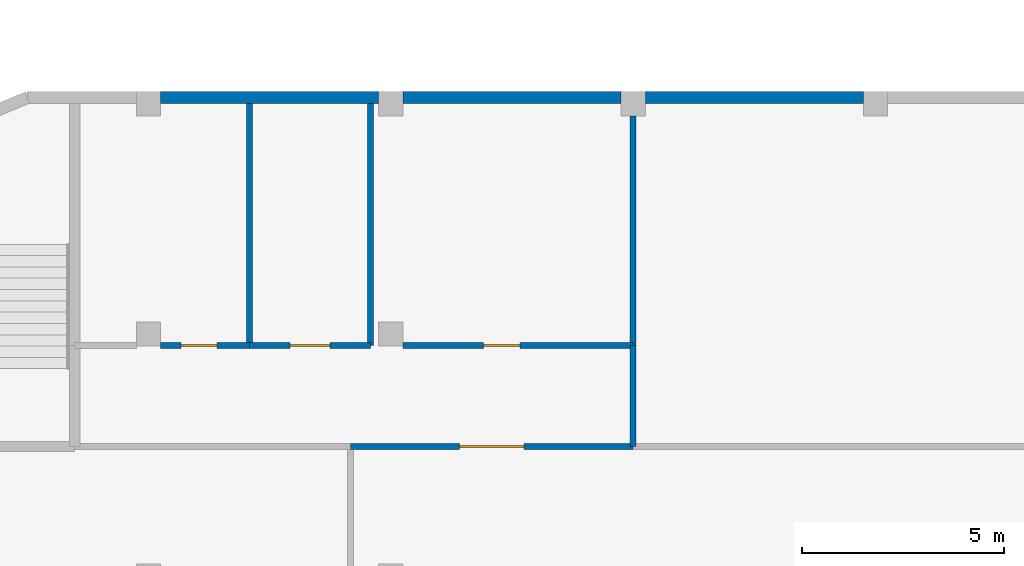
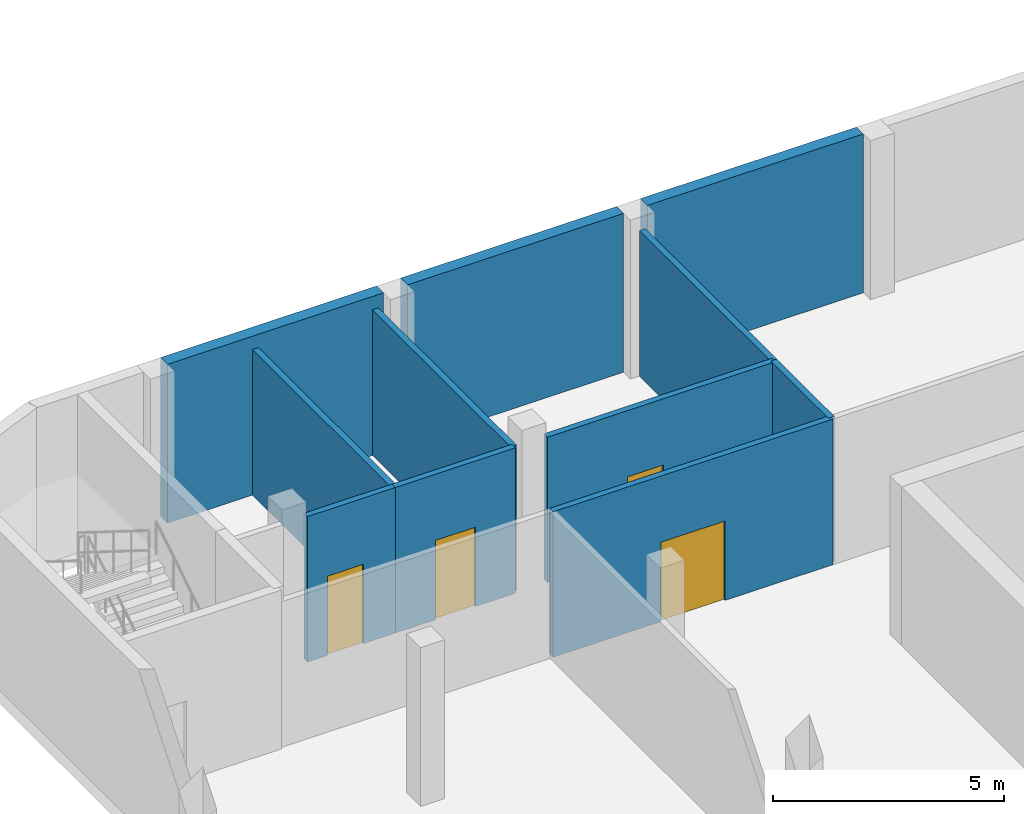
# One storey, part 27 of 47: 11 walls, 4 doors, 4 openings.
"""IFC4 building model written with IfcOpenShell, lengths in metres."""

from ifc_helpers import new_model, si_unit, direction, frame, frame_2d, origin, place, context, subcontext, project, spatial, rectangle, extrude, material, layer, layer_set, type_object, element, fill, save


model = new_model("IFC4")

# Units and contexts
model_context = context("Model", 3, precision=1e-05, world=origin(), true_north=direction((0.0, 1.0)))
body_context = subcontext(model_context, "Body", "Model", "MODEL_VIEW")
ifc_project = project(units=[si_unit("LENGTHUNIT", "METRE"), si_unit("AREAUNIT", "SQUARE_METRE"), si_unit("VOLUMEUNIT", "CUBIC_METRE"), si_unit("PLANEANGLEUNIT", "RADIAN"), si_unit("MASSUNIT", "GRAM", prefix="KILO")], contexts=[model_context])

# Site, building, storey
site_placement = place(None, origin())
site = spatial("IfcSite", under=ifc_project, at=site_placement, CompositionType="ELEMENT")
building_placement = place(site_placement, origin())
building = spatial("IfcBuilding", under=site, at=building_placement, Name="Nakaniwa Court", CompositionType="ELEMENT")
storey_placement = place(building_placement, frame((0.0, 0.0, 15.60009765625)))
storey = spatial("IfcBuildingStorey", under=building, at=storey_placement, Name="L03", CompositionType="ELEMENT", Elevation=15.60009765625)

# Walls
ifc_material_1 = material(Name="Concrete C50/60", Category="concrete")
ifc_layer_1 = layer(ifc_material_1, 0.300048828125)
ifc_layer_set_1 = layer_set([ifc_layer_1], Name="Concrete C50/60")
wall_type_1 = type_object("IfcWallType", Name="Fair faced concrete wall 300", PredefinedType="SOLIDWALL", material=ifc_layer_set_1)
for number, where, z_axis, x_axis, name in (
    (1, (158.300048828125, 103.85009765625, 0.0), (0.0, 0.0, 1.0), (1.0, 0.0, 0.0), "Facade wall L03 12"),
    (2, (164.300048828125, 103.85009765625, 0.0), (0.0, 0.0, 1.0), (1.0, 0.0, 0.0), "Facade wall L03 13"),
    (3, (170.300048828125, 103.85009765625, 0.0), (0.0, 0.0, 1.0), (1.0, 0.0, 0.0), "Facade wall L03 14"),
):
    element("IfcWall", number, at=place(storey_placement, frame(where, z_axis=z_axis, x_axis=x_axis)), inside=storey, type_object=wall_type_1, Name=name, PredefinedType="SOLIDWALL", context=body_context, shape_type="SweptSolid", body=[
        extrude(rectangle(XDim=5.39990234375, YDim=0.300048828125, at=frame_2d((2.699951171875, 0.0))), origin(), (0.0, 0.0, 1.0), 4.199951171875),
    ])

# Wall, opening, door
ifc_material_2 = material(Name="Steel stud plasterboard partition", Category="steel")
ifc_layer_2 = layer(ifc_material_2, 0.14990234375)
ifc_layer_set_2 = layer_set([ifc_layer_2], Name="Steel stud plasterboard partition")
wall_type_2 = type_object("IfcWallType", Name="Partition 150", PredefinedType="PARTITIONING", material=ifc_layer_set_2)
wall_1_placement = place(storey_placement, frame((163.0, 95.215087890625, 0.0), z_axis=(0.0, 0.0, 1.0), x_axis=(1.0, 0.0, 0.0)))
wall_1 = element("IfcWall", 4, at=wall_1_placement, inside=storey, type_object=wall_type_2, Name="L03 partition wall 14", PredefinedType="PARTITIONING", context=body_context, shape_type="SweptSolid", body=[
    extrude(rectangle(XDim=7.0, YDim=0.14990234375, at=frame_2d((3.5, 0.0))), origin(), (0.0, 0.0, 1.0), 3.849853515625),
])
opening_1_placement = place(wall_1_placement, frame((2.699951171875, 0.0, 0.0)))
opening_1 = element("IfcOpeningElement", 5, at=opening_1_placement, cuts=wall_1, Name="Opening HD-116", PredefinedType="OPENING", context=body_context, shape_type="SweptSolid", body=[
    extrude(rectangle(XDim=1.60009765625, YDim=2.10009765625, at=frame_2d((0.800048828125, 1.050048828125))), frame((0.0, 0.0849609375, 0.0), z_axis=(0.0, -1.0, 0.0), x_axis=(1.0, 0.0, 0.0)), (0.0, 0.0, 1.0), 0.169921875),
])
ifc_material_3 = material(Name="Solid-core timber door leaf in steel frame", Category="steel")
door_type_1 = type_object("IfcDoorType", Name="Hall corridor double door 1600x2100", OperationType="DOUBLE_DOOR_SINGLE_SWING", PredefinedType="DOOR", material=ifc_material_3)
door_1_placement = place(opening_1_placement, origin())
door_1 = element("IfcDoor", 6, at=door_1_placement, inside=storey, type_object=door_type_1, Name="L03 door lobby", OperationType="DOUBLE_DOOR_SINGLE_SWING", OverallHeight=2.10009765625, OverallWidth=1.60009765625, PredefinedType="DOOR", context=body_context, shape_type="SweptSolid", body=[
    extrude(rectangle(XDim=1.60009765625, YDim=2.10009765625, at=frame_2d((0.800048828125, 1.050048828125))), frame((0.0, 0.02490234375, 0.0), z_axis=(0.0, -1.0, 0.0), x_axis=(1.0, 0.0, 0.0)), (0.0, 0.0, 1.0), 0.050048828125),
])
fill(opening_1, door_1)

# Wall
wall_2_placement = place(storey_placement, frame((170.0, 97.715087890625, 0.0), z_axis=(0.0, 0.0, 1.0), x_axis=(0.0, -1.0, 0.0)))
element("IfcWall", 7, at=wall_2_placement, inside=storey, type_object=wall_type_2, Name="L03 partition wall 25", PredefinedType="PARTITIONING", context=body_context, shape_type="SweptSolid", body=[
    extrude(rectangle(XDim=2.5, YDim=0.14990234375, at=frame_2d((1.25, 0.0))), origin(), (0.0, 0.0, 1.0), 3.849853515625),
])

# Wall, opening, door
ifc_material_4 = material(Name="Moisture-resistant steel stud partition", Category="steel")
ifc_layer_3 = layer(ifc_material_4, 0.14990234375)
ifc_layer_set_3 = layer_set([ifc_layer_3], Name="Moisture-resistant steel stud partition")
wall_type_3 = type_object("IfcWallType", Name="Wet area partition 150", PredefinedType="PLUMBINGWALL", material=ifc_layer_set_3)
wall_3_placement = place(storey_placement, frame((158.300048828125, 97.715087890625, 0.0), z_axis=(0.0, 0.0, 1.0), x_axis=(1.0, 0.0, 0.0)))
wall_3 = element("IfcWall", 8, at=wall_3_placement, inside=storey, type_object=wall_type_3, Name="L03 partition wall 8", PredefinedType="PLUMBINGWALL", context=body_context, shape_type="SweptSolid", body=[
    extrude(rectangle(XDim=2.199951171875, YDim=0.14990234375, at=frame_2d((1.10009765625, 0.0))), origin(), (0.0, 0.0, 1.0), 3.849853515625),
])
opening_2_placement = place(wall_3_placement, frame((0.5, 0.0, 0.0)))
opening_2 = element("IfcOpeningElement", 9, at=opening_2_placement, cuts=wall_3, Name="Opening HD-112", PredefinedType="OPENING", context=body_context, shape_type="SweptSolid", body=[
    extrude(rectangle(XDim=0.89990234375, YDim=2.10009765625, at=frame_2d((0.449951171875, 1.050048828125))), frame((0.0, 0.0849609375, 0.0), z_axis=(0.0, -1.0, 0.0), x_axis=(1.0, 0.0, 0.0)), (0.0, 0.0, 1.0), 0.169921875),
])
door_type_2 = type_object("IfcDoorType", Name="Hall door 900x2100", OperationType="SINGLE_SWING_LEFT", PredefinedType="DOOR", material=ifc_material_3)
door_2_placement = place(opening_2_placement, origin())
door_2 = element("IfcDoor", 10, at=door_2_placement, inside=storey, type_object=door_type_2, Name="L03 door Public-WC-(men)", OperationType="SINGLE_SWING_LEFT", OverallHeight=2.10009765625, OverallWidth=0.89990234375, PredefinedType="DOOR", context=body_context, shape_type="SweptSolid", body=[
    extrude(rectangle(XDim=0.89990234375, YDim=2.10009765625, at=frame_2d((0.449951171875, 1.050048828125))), frame((0.0, 0.02490234375, 0.0), z_axis=(0.0, -1.0, 0.0), x_axis=(1.0, 0.0, 0.0)), (0.0, 0.0, 1.0), 0.050048828125),
])
fill(opening_2, door_2)

wall_4_placement = place(storey_placement, frame((160.5, 97.715087890625, 0.0), z_axis=(0.0, 0.0, 1.0), x_axis=(1.0, 0.0, 0.0)))
wall_4 = element("IfcWall", 11, at=wall_4_placement, inside=storey, type_object=wall_type_3, Name="L03 partition wall 10", PredefinedType="PLUMBINGWALL", context=body_context, shape_type="SweptSolid", body=[
    extrude(rectangle(XDim=3.0, YDim=0.14990234375, at=frame_2d((1.5, 0.0))), origin(), (0.0, 0.0, 1.0), 3.849853515625),
])
opening_3_placement = place(wall_4_placement, frame((1.0, 0.0, 0.0)))
opening_3 = element("IfcOpeningElement", 12, at=opening_3_placement, cuts=wall_4, Name="Opening HD-113", PredefinedType="OPENING", context=body_context, shape_type="SweptSolid", body=[
    extrude(rectangle(XDim=1.0, YDim=2.10009765625, at=frame_2d((0.5, 1.050048828125))), frame((0.0, 0.0849609375, 0.0), z_axis=(0.0, -1.0, 0.0), x_axis=(1.0, 0.0, 0.0)), (0.0, 0.0, 1.0), 0.169921875),
])
door_type_3 = type_object("IfcDoorType", Name="Hall door 1000x2100", OperationType="SINGLE_SWING_LEFT", PredefinedType="DOOR", material=ifc_material_3)
door_3_placement = place(opening_3_placement, origin())
door_3 = element("IfcDoor", 13, at=door_3_placement, inside=storey, type_object=door_type_3, Name="L03 door Accessible-WC", OperationType="SINGLE_SWING_RIGHT", OverallHeight=2.10009765625, OverallWidth=1.0, PredefinedType="DOOR", context=body_context, shape_type="SweptSolid", body=[
    extrude(rectangle(XDim=1.0, YDim=2.10009765625, at=frame_2d((0.5, 1.050048828125))), frame((0.0, 0.02490234375, 0.0), z_axis=(0.0, -1.0, 0.0), x_axis=(1.0, 0.0, 0.0)), (0.0, 0.0, 1.0), 0.050048828125),
])
fill(opening_3, door_3)

# Wall
wall_5_placement = place(storey_placement, frame((160.5, 103.699951171875, 0.0), z_axis=(0.0, 0.0, 1.0), x_axis=(0.0, -1.0, 0.0)))
element("IfcWall", 14, at=wall_5_placement, inside=storey, type_object=wall_type_3, Name="L03 partition wall 11", PredefinedType="PLUMBINGWALL", context=body_context, shape_type="SweptSolid", body=[
    extrude(rectangle(XDim=5.98486328125, YDim=0.14990234375, at=frame_2d((2.992431640625, 0.0))), origin(), (0.0, 0.0, 1.0), 3.849853515625),
])

# Wall, opening, door
wall_6_placement = place(storey_placement, frame((164.300048828125, 97.715087890625, 0.0), z_axis=(0.0, 0.0, 1.0), x_axis=(1.0, 0.0, 0.0)))
wall_6 = element("IfcWall", 15, at=wall_6_placement, inside=storey, type_object=wall_type_3, Name="L03 partition wall 15", PredefinedType="PLUMBINGWALL", context=body_context, shape_type="SweptSolid", body=[
    extrude(rectangle(XDim=5.699951171875, YDim=0.14990234375, at=frame_2d((2.85009765625, 0.0))), origin(), (0.0, 0.0, 1.0), 3.849853515625),
])
opening_4_placement = place(wall_6_placement, frame((2.0, 0.0, 0.0)))
opening_4 = element("IfcOpeningElement", 16, at=opening_4_placement, cuts=wall_6, Name="Opening HD-117", PredefinedType="OPENING", context=body_context, shape_type="SweptSolid", body=[
    extrude(rectangle(XDim=0.89990234375, YDim=2.10009765625, at=frame_2d((0.449951171875, 1.050048828125))), frame((0.0, 0.0849609375, 0.0), z_axis=(0.0, -1.0, 0.0), x_axis=(1.0, 0.0, 0.0)), (0.0, 0.0, 1.0), 0.169921875),
])
door_4_placement = place(opening_4_placement, origin())
door_4 = element("IfcDoor", 17, at=door_4_placement, inside=storey, type_object=door_type_2, Name="L03 door Public-WC-(women)", OperationType="SINGLE_SWING_LEFT", OverallHeight=2.10009765625, OverallWidth=0.89990234375, PredefinedType="DOOR", context=body_context, shape_type="SweptSolid", body=[
    extrude(rectangle(XDim=0.89990234375, YDim=2.10009765625, at=frame_2d((0.449951171875, 1.050048828125))), frame((0.0, 0.02490234375, 0.0), z_axis=(0.0, -1.0, 0.0), x_axis=(1.0, 0.0, 0.0)), (0.0, 0.0, 1.0), 0.050048828125),
])
fill(opening_4, door_4)

# Walls
wall_7_placement = place(storey_placement, frame((163.5, 103.699951171875, 0.0), z_axis=(0.0, 0.0, 1.0), x_axis=(0.0, -1.0, 0.0)))
element("IfcWall", 18, at=wall_7_placement, inside=storey, type_object=wall_type_3, Name="L03 partition wall 16", PredefinedType="PLUMBINGWALL", context=body_context, shape_type="SweptSolid", body=[
    extrude(rectangle(XDim=5.98486328125, YDim=0.14990234375, at=frame_2d((2.992431640625, 0.0))), origin(), (0.0, 0.0, 1.0), 3.849853515625),
])
wall_8_placement = place(storey_placement, frame((170.0, 103.39990234375, 0.0), z_axis=(0.0, 0.0, 1.0), x_axis=(0.0, -1.0, 0.0)))
element("IfcWall", 19, at=wall_8_placement, inside=storey, type_object=wall_type_3, Name="L03 partition wall 26", PredefinedType="PLUMBINGWALL", context=body_context, shape_type="SweptSolid", body=[
    extrude(rectangle(XDim=5.684814453125, YDim=0.14990234375, at=frame_2d((2.84228515625, 0.0))), origin(), (0.0, 0.0, 1.0), 3.849853515625),
])

save(model, "model.ifc")
